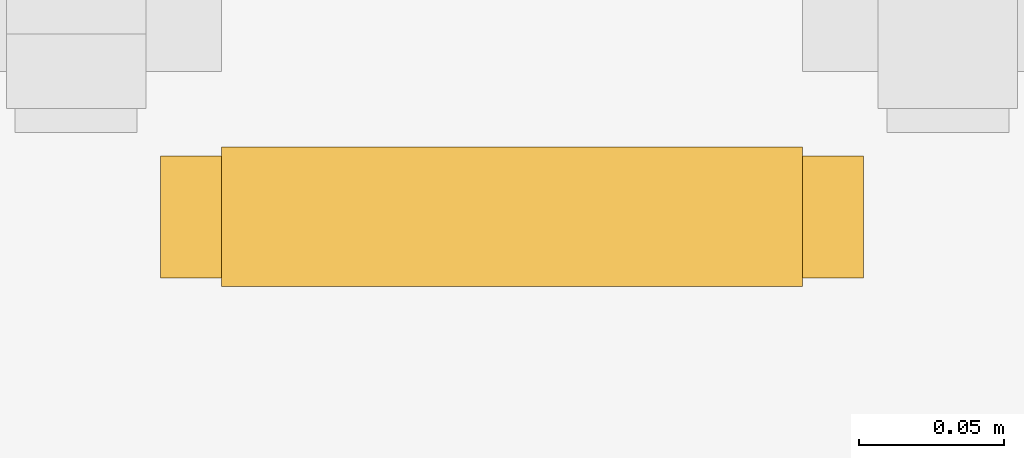
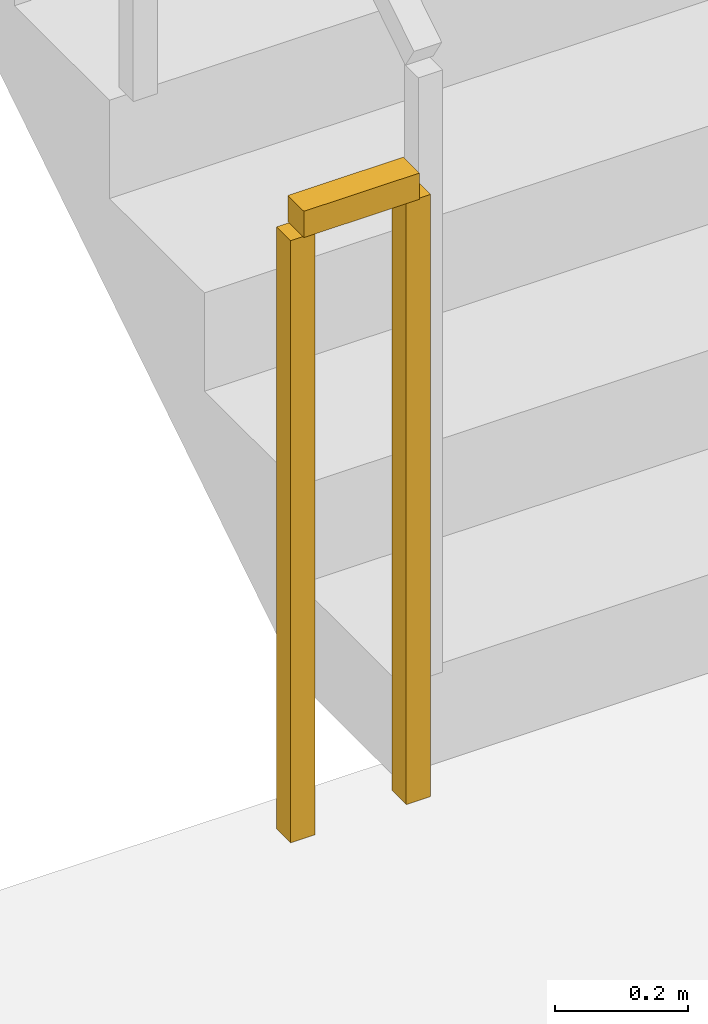
# One storey, part 25 of 27: 1 railing.
"""IFC4 building model written with IfcOpenShell, lengths in metres."""

from ifc_helpers import new_model, si_unit, direction, frame, origin, origin_2d, place, context, subcontext, project, spatial, rectangle, extrude, material, type_object, element, save


model = new_model("IFC4")

# Units and contexts
model_context = context("Model", 3, precision=1e-05, world=origin(), true_north=direction((0.0, 1.0)))
body_context = subcontext(model_context, "Body", "Model", "MODEL_VIEW")
ifc_project = project(units=[si_unit("LENGTHUNIT", "METRE"), si_unit("AREAUNIT", "SQUARE_METRE"), si_unit("VOLUMEUNIT", "CUBIC_METRE"), si_unit("PLANEANGLEUNIT", "RADIAN"), si_unit("MASSUNIT", "GRAM", prefix="KILO")], contexts=[model_context])

# Site, building, storey
site_placement = place(None, origin())
site = spatial("IfcSite", under=ifc_project, at=site_placement, CompositionType="ELEMENT")
building_placement = place(site_placement, origin())
building = spatial("IfcBuilding", under=site, at=building_placement, Name="Sarneth Arch Tower", CompositionType="ELEMENT")
storey_placement = place(building_placement, frame((0.0, 0.0, 75.0)))
storey = spatial("IfcBuildingStorey", under=building, at=storey_placement, Name="L18", CompositionType="ELEMENT", Elevation=75.0)

# Railing
ifc_material = material(Name="Painted Steel S275 stair well guard", Category="steel")
railing_type = type_object("IfcRailingType", Name="RAIL-STAIR-GUARD", PredefinedType="GUARDRAIL", material=ifc_material)
railing_placement = place(storey_placement, frame((39.050048828125, 41.39990234375, 0.0)))
element("IfcRailing", 1, at=railing_placement, inside=storey, type_object=railing_type, Name="L18 ST-1 stair guard 4", PredefinedType="GUARDRAIL", context=body_context, shape_type="SweptSolid", body=[
    extrude(rectangle(XDim=0.048095703125, YDim=0.048095703125, at=origin_2d()), frame((0.0, 0.0, 1.1259765625), z_axis=(-1.0, 0.0, 0.0), x_axis=(0.0, -1.0, 0.0)), (0.0, 0.0, 1.0), 0.199951171875),
    extrude(rectangle(XDim=0.0419921875, YDim=0.0419921875, at=origin_2d()), origin(), (0.0, 0.0, 1.0), 1.101806640625),
    extrude(rectangle(XDim=0.0419921875, YDim=0.0419921875, at=origin_2d()), frame((-0.199951171875, 0.0, 0.0)), (0.0, 0.0, 1.0), 1.101806640625),
])

save(model, "model.ifc")
